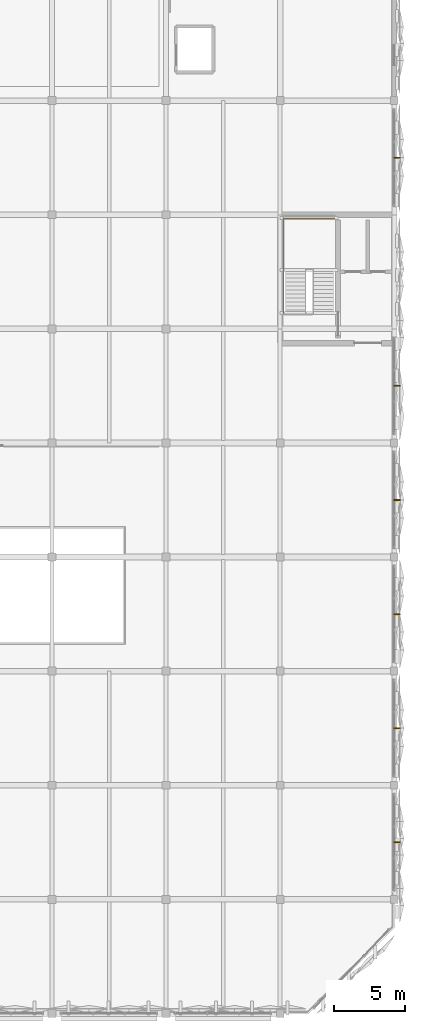
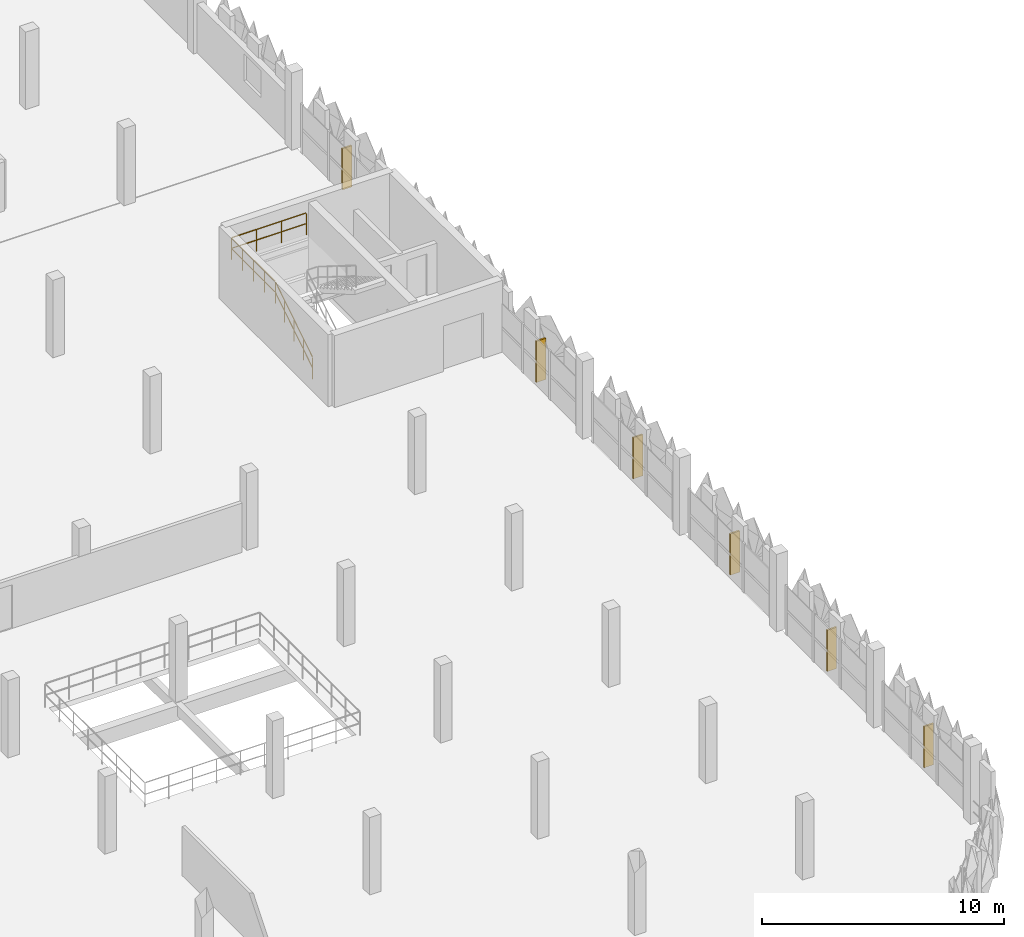
# One storey, part 79 of 83: 6 shading devices, 1 railing.
"""IFC4 building model written with IfcOpenShell, lengths in metres."""

import ifcopenshell
import ifcopenshell.guid

model = None  # the IFC model being written
_history = None  # IfcOwnerHistory: only IFC2X3 demands one
_inside = {}  # id of a spatial element -> (the spatial element, [elements in it])
_under = {}  # id of a project, library or spatial element -> (it, [spatial elements below it])
_declared = {}  # id of a project -> (the project, [libraries it declares])
_typed = {}  # id of a type object -> (the type object, [elements of that type])
_made_of = {}  # id of a material, layer set ... -> (it, [elements and type objects made of it])


def new_model(schema):
    """Start an empty IFC model of exactly this schema.

    Asked for "IFC4X3", IfcOpenShell would pick the latest addendum, in which some entities
    have other attributes; the version numbers below select the first issue.
    IFC2X3 requires an IfcOwnerHistory on every rooted entity: one is made here for all.
    """
    global model, _history
    if schema == "IFC4X3":
        model = ifcopenshell.file(schema_version=(4, 3, 0, 0))
    else:
        model = ifcopenshell.file(schema=schema)
    _inside.clear()
    _under.clear()
    _declared.clear()
    _typed.clear()
    _made_of.clear()
    _history = None
    if model.schema == "IFC2X3":
        org = make("IfcOrganization", Name="unknown")
        user = make(
            "IfcPersonAndOrganization",
            ThePerson=make("IfcPerson", FamilyName="unknown"),
            TheOrganization=org,
        )
        app = make(
            "IfcApplication",
            ApplicationDeveloper=org,
            Version="unknown",
            ApplicationFullName="unknown",
            ApplicationIdentifier="unknown",
        )
        _history = make(
            "IfcOwnerHistory",
            OwningUser=user,
            OwningApplication=app,
            ChangeAction="ADDED",
            CreationDate=0,
        )
    return model


def make(cls, **values):
    """One entity of the class cls with the attributes given. An attribute that is None is left unset."""
    return model.create_entity(
        cls, **{name: value for name, value in values.items() if value is not None}
    )


def rooted(cls, **values):
    """An entity with a GlobalId (a new one), such as an element, a storey or a relation."""
    return make(cls, GlobalId=ifcopenshell.guid.new(), OwnerHistory=_history, **values)


def si_unit(unit_type, name, prefix=None):
    """IfcSIUnit, for example si_unit("LENGTHUNIT", "METRE", prefix="MILLI")."""
    return make("IfcSIUnit", UnitType=unit_type, Prefix=prefix, Name=name)


def derived_unit(unit_type, elements):
    """IfcDerivedUnit: a product of units, each with its exponent."""
    return make(
        "IfcDerivedUnit",
        Elements=[
            make("IfcDerivedUnitElement", Unit=unit, Exponent=power)
            for unit, power in elements
        ],
        UnitType=unit_type,
    )


def assignment(units):
    """IfcUnitAssignment: the units of a project."""
    return None if units is None else make("IfcUnitAssignment", Units=units)


def point(xyz):
    """IfcCartesianPoint."""
    return None if xyz is None else make("IfcCartesianPoint", Coordinates=xyz)


def direction(xyz):
    """IfcDirection."""
    return None if xyz is None else make("IfcDirection", DirectionRatios=xyz)


def frame(location, z_axis=None, x_axis=None):
    """IfcAxis2Placement3D, a coordinate frame: its origin and axes. An axis left out is left unset."""
    return make(
        "IfcAxis2Placement3D",
        Location=point(location),
        Axis=direction(z_axis),
        RefDirection=direction(x_axis),
    )


def frame_2d(location, x_axis=None):
    """IfcAxis2Placement2D, a coordinate frame in the plane: its origin and x axis."""
    return make(
        "IfcAxis2Placement2D", Location=point(location), RefDirection=direction(x_axis)
    )


def origin():
    """The frame at (0, 0, 0) with its axes left unset."""
    return frame((0.0, 0.0, 0.0))


def origin_2d():
    """The frame at (0, 0) in the plane with its x axis left unset."""
    return frame_2d((0.0, 0.0))


def place(relative_to, where):
    """IfcLocalPlacement: puts the frame where relative to a parent placement (None: the world)."""
    return make(
        "IfcLocalPlacement", PlacementRelTo=relative_to, RelativePlacement=where
    )


def context(
    kind, dimensions, precision=None, world=None, true_north=None, identifier=None
):
    """IfcGeometricRepresentationContext, for example the 3D "Model" context."""
    return make(
        "IfcGeometricRepresentationContext",
        ContextIdentifier=identifier,
        ContextType=kind,
        CoordinateSpaceDimension=dimensions,
        Precision=precision,
        WorldCoordinateSystem=world,
        TrueNorth=true_north,
    )


def subcontext(parent, identifier, kind, view, scale=None):
    """IfcGeometricRepresentationSubContext, for example "Body" below "Model"."""
    return make(
        "IfcGeometricRepresentationSubContext",
        ContextIdentifier=identifier,
        ContextType=kind,
        ParentContext=parent,
        TargetScale=scale,
        TargetView=view,
    )


def project(units=None, contexts=None):
    """IfcProject with its units and contexts."""
    return rooted(
        "IfcProject",
        Name="project",
        RepresentationContexts=contexts,
        UnitsInContext=assignment(units),
    )


def spatial(cls, under=None, at=None, **own):
    """A site, building, storey or space (cls), placed at a placement, below another one or the project."""
    s = rooted(cls, ObjectPlacement=at, **own)
    if under is not None:
        _under.setdefault(under.id(), (under, []))[1].append(s)
    return s


def profile(cls, at=None, kind="AREA", **sizes):
    """A parametric profile (cls). Its sizes go by their IFC names, for example OverallWidth=200.0."""
    return make(cls, ProfileType=kind, Position=at, **sizes)


def rectangle(**sizes):
    """IfcRectangleProfileDef."""
    return profile("IfcRectangleProfileDef", **sizes)


def circle(**sizes):
    """IfcCircleProfileDef."""
    return profile("IfcCircleProfileDef", **sizes)


def extrude(swept, where, along, depth):
    """IfcExtrudedAreaSolid: the profile swept, set in the frame where, extruded along a direction by depth."""
    return make(
        "IfcExtrudedAreaSolid",
        SweptArea=swept,
        Position=where,
        ExtrudedDirection=direction(along),
        Depth=depth,
    )


def shape(context_of_items, identifier, shape_type, items):
    """IfcShapeRepresentation: the items that make up one representation, for example the "Body"."""
    return make(
        "IfcShapeRepresentation",
        ContextOfItems=context_of_items,
        RepresentationIdentifier=identifier,
        RepresentationType=shape_type,
        Items=items,
    )


def material(Name=None, Category=None):
    """IfcMaterial."""
    return make("IfcMaterial", Name=Name, Category=Category)


def material_profile(
    of_material, cross_section, Name=None, Category=None, Priority=None
):
    """IfcMaterialProfile: a cross section and its material."""
    return make(
        "IfcMaterialProfile",
        Name=Name,
        Material=of_material,
        Profile=cross_section,
        Priority=Priority,
        Category=Category,
    )


def profile_set(profiles, Name=None, composite=None):
    """IfcMaterialProfileSet."""
    return make(
        "IfcMaterialProfileSet",
        Name=Name,
        MaterialProfiles=profiles,
        CompositeProfile=composite,
    )


def made_of(thing, what):
    """Note that an element or type object is made of a material, layer set ...; save() writes the relation."""
    if what is not None:
        _made_of.setdefault(what.id(), (what, []))[1].append(thing)
    return thing


def type_object(cls, material=None, **own):
    """A type object (cls), such as IfcWallType, which elements share."""
    return made_of(rooted(cls, **own), material)


def element(
    cls,
    number,
    at=None,
    inside=None,
    cuts=None,
    type_object=None,
    material=None,
    context=None,
    identifier="Body",
    shape_type=None,
    held_by="IfcProductDefinitionShape",
    body=None,
    shapes=None,
    **own,
):
    """One element of the class cls, such as IfcWall. Its Tag is "e" and its number.

    at: its placement. inside: the storey or other place that contains it. cuts: it is an
    opening in that element (IfcRelVoidsElement). A single representation is given by context,
    identifier, shape_type and body (its items); several are given by shapes. held_by: the class
    of the entity that holds the representations. save() writes the other relations.
    """
    e = rooted(cls, Tag="e%d" % number, ObjectPlacement=at, **own)
    if body is not None:
        shapes = [shape(context, identifier, shape_type, body)]
    if shapes is not None:
        e.Representation = make(held_by, Representations=shapes)
    if inside is not None:
        _inside.setdefault(inside.id(), (inside, []))[1].append(e)
    if cuts is not None:
        rooted(
            "IfcRelVoidsElement", RelatingBuildingElement=cuts, RelatedOpeningElement=e
        )
    if type_object is not None:
        _typed.setdefault(type_object.id(), (type_object, []))[1].append(e)
    return made_of(e, material)


def aggregate(whole, parts):
    """IfcRelAggregates: a whole, such as a stair, and the parts it consists of."""
    return rooted("IfcRelAggregates", RelatingObject=whole, RelatedObjects=parts)


def save(model, path):
    """Write the relations noted so far, then the file.

    IfcRelAggregates (storeys below a building ...), IfcRelContainedInSpatialStructure (elements
    in a storey), IfcRelDefinesByType, IfcRelAssociatesMaterial and IfcRelDeclares: one each for
    every whole, place, type object, material and project.
    """
    for whole, parts in _under.values():
        aggregate(whole, parts)
    for where, things in _inside.values():
        rooted(
            "IfcRelContainedInSpatialStructure",
            RelatedElements=things,
            RelatingStructure=where,
        )
    for kind, things in _typed.values():
        rooted("IfcRelDefinesByType", RelatedObjects=things, RelatingType=kind)
    for what, things in _made_of.values():
        rooted("IfcRelAssociatesMaterial", RelatedObjects=things, RelatingMaterial=what)
    for by, libraries in _declared.values():
        rooted("IfcRelDeclares", RelatingContext=by, RelatedDefinitions=libraries)
    model.write(path)


model = new_model("IFC4")

# Units and contexts
model_context = context("Model", 3, precision=1e-05, world=origin(), true_north=direction((0.0, 1.0)))
body_context = subcontext(model_context, "Body", "Model", "MODEL_VIEW")
ifc_project = project(units=[si_unit("LENGTHUNIT", "METRE"), si_unit("AREAUNIT", "SQUARE_METRE"), si_unit("VOLUMEUNIT", "CUBIC_METRE"), si_unit("PLANEANGLEUNIT", "RADIAN"), si_unit("MASSUNIT", "GRAM", prefix="KILO"), si_unit("THERMODYNAMICTEMPERATUREUNIT", "KELVIN"), derived_unit("THERMALTRANSMITTANCEUNIT", [(si_unit("POWERUNIT", "WATT"), 1), (si_unit("AREAUNIT", "SQUARE_METRE"), -1), (si_unit("THERMODYNAMICTEMPERATUREUNIT", "KELVIN"), -1)])], contexts=[model_context])

# Site, building, storey
site_placement = place(None, origin())
site = spatial("IfcSite", under=ifc_project, at=site_placement, CompositionType="ELEMENT")
building_placement = place(site_placement, origin())
building = spatial("IfcBuilding", under=site, at=building_placement, Name="Haiyu Intermodal Mobility Hub", CompositionType="ELEMENT")
storey_placement = place(building_placement, frame((0.0, 0.0, 13.39990234375)))
storey = spatial("IfcBuildingStorey", under=building, at=storey_placement, Name="L03", CompositionType="ELEMENT", Elevation=13.39990234375)

# Railing
ifc_material_1 = material(Name="Steel Q355C", Category="steel")
railing_type = type_object("IfcRailingType", Name="RAL-GR03", PredefinedType="GUARDRAIL", material=ifc_material_1)
railing_placement = place(storey_placement, frame((202.25, 65.050048828125, 0.0)))
element("IfcRailing", 1, at=railing_placement, inside=storey, type_object=railing_type, Name="Stair Outer Guard STR-C9-L03", PredefinedType="GUARDRAIL", context=body_context, shape_type="SweptSolid", body=[
    extrude(circle(Radius=0.02392578125, at=origin_2d()), frame((0.0, 0.025390625, 1.112060546875), z_axis=(0.0, 0.844864482441, 0.534980379369), x_axis=(-1.0, 0.0, 0.0)), (0.0, 0.0, 1.0), 3.58544921875),
    extrude(circle(Radius=0.02392578125, at=origin_2d()), frame((0.0, 0.031494140625, 0.580078125), z_axis=(0.0, 0.844864482441, 0.534980379369), x_axis=(-1.0, 0.0, 0.0)), (0.0, 0.0, 1.0), 0.836669921875),
    extrude(circle(Radius=0.02392578125, at=origin_2d()), frame((0.0, 0.801513671875, 1.067626953125), z_axis=(0.0, 0.844864482441, 0.534980379369), x_axis=(-1.0, 0.0, 0.0)), (0.0, 0.0, 1.0), 0.836669921875),
    extrude(circle(Radius=0.02392578125, at=origin_2d()), frame((0.0, 1.571533203125, 1.55517578125), z_axis=(0.0, 0.844864482441, 0.534980379369), x_axis=(-1.0, 0.0, 0.0)), (0.0, 0.0, 1.0), 0.836669921875),
    extrude(circle(Radius=0.02392578125, at=origin_2d()), frame((0.0, 2.34130859375, 2.042724609375), z_axis=(0.0, 0.844864482441, 0.534980379369), x_axis=(-1.0, 0.0, 0.0)), (0.0, 0.0, 1.0), 0.836669921875),
    extrude(circle(Radius=0.02392578125, at=origin_2d()), frame((0.0, 3.10986328125, 3.04638671875), z_axis=(0.0, 1.0, 0.0), x_axis=(-1.0, 0.0, 0.0)), (0.0, 0.0, 1.0), 3.570068359375),
    extrude(circle(Radius=0.02392578125, at=origin_2d()), frame((0.0, 3.1171875, 2.51025390625), z_axis=(0.0, 1.0, 0.0), x_axis=(-1.0, 0.0, 0.0)), (0.0, 0.0, 1.0), 0.8330078125),
    extrude(circle(Radius=0.02392578125, at=origin_2d()), frame((0.0, 4.024658203125, 2.51025390625), z_axis=(0.0, 1.0, 0.0), x_axis=(-1.0, 0.0, 0.0)), (0.0, 0.0, 1.0), 0.8330078125),
    extrude(circle(Radius=0.02392578125, at=origin_2d()), frame((0.0, 4.93212890625, 2.51025390625), z_axis=(0.0, 1.0, 0.0), x_axis=(-1.0, 0.0, 0.0)), (0.0, 0.0, 1.0), 0.8330078125),
    extrude(circle(Radius=0.02392578125, at=origin_2d()), frame((0.0, 5.83984375, 2.51025390625), z_axis=(0.0, 1.0, 0.0), x_axis=(-1.0, 0.0, 0.0)), (0.0, 0.0, 1.0), 0.8330078125),
    extrude(circle(Radius=0.02392578125, at=origin_2d()), frame((0.030029296875, 6.7099609375, 3.04638671875), z_axis=(1.0, 0.0, 0.0), x_axis=(0.0, 1.0, 0.0)), (0.0, 0.0, 1.0), 3.52001953125),
    extrude(circle(Radius=0.02392578125, at=origin_2d()), frame((0.037353515625, 6.7099609375, 2.51025390625), z_axis=(1.0, 0.0, 0.0), x_axis=(0.0, 1.0, 0.0)), (0.0, 0.0, 1.0), 1.11865234375),
    extrude(circle(Radius=0.02392578125, at=origin_2d()), frame((1.230712890625, 6.7099609375, 2.51025390625), z_axis=(1.0, 0.0, 0.0), x_axis=(0.0, 1.0, 0.0)), (0.0, 0.0, 1.0), 1.11865234375),
    extrude(circle(Radius=0.02392578125, at=origin_2d()), frame((2.424072265625, 6.7099609375, 2.51025390625), z_axis=(1.0, 0.0, 0.0), x_axis=(0.0, 1.0, 0.0)), (0.0, 0.0, 1.0), 1.11865234375),
    extrude(circle(Radius=0.02099609375, at=origin_2d()), origin(), (0.0, 0.0, 1.0), 1.06396484375),
    extrude(circle(Radius=0.02099609375, at=origin_2d()), frame((0.0, 0.77001953125, 0.487548828125)), (0.0, 0.0, 1.0), 1.06396484375),
    extrude(circle(Radius=0.02099609375, at=origin_2d()), frame((0.0, 1.5400390625, 0.97509765625)), (0.0, 0.0, 1.0), 1.06396484375),
    extrude(circle(Radius=0.02099609375, at=origin_2d()), frame((0.0, 2.309814453125, 1.462646484375)), (0.0, 0.0, 1.0), 1.06396484375),
    extrude(circle(Radius=0.02099609375, at=origin_2d()), frame((0.0, 3.079833984375, 1.9501953125)), (0.0, 0.0, 1.0), 1.06396484375),
    extrude(circle(Radius=0.02099609375, at=origin_2d()), frame((0.0, 3.9873046875, 1.9501953125)), (0.0, 0.0, 1.0), 1.06396484375),
    extrude(circle(Radius=0.02099609375, at=origin_2d()), frame((0.0, 4.89501953125, 1.9501953125)), (0.0, 0.0, 1.0), 1.06396484375),
    extrude(circle(Radius=0.02099609375, at=origin_2d()), frame((0.0, 5.802490234375, 1.9501953125)), (0.0, 0.0, 1.0), 1.06396484375),
    extrude(circle(Radius=0.02099609375, at=origin_2d()), frame((0.0, 6.7099609375, 1.9501953125)), (0.0, 0.0, 1.0), 1.06396484375),
    extrude(circle(Radius=0.02099609375, at=origin_2d()), frame((1.193359375, 6.7099609375, 1.9501953125)), (0.0, 0.0, 1.0), 1.06396484375),
    extrude(circle(Radius=0.02099609375, at=origin_2d()), frame((2.38671875, 6.7099609375, 1.9501953125)), (0.0, 0.0, 1.0), 1.06396484375),
    extrude(circle(Radius=0.02099609375, at=origin_2d()), frame((3.580078125, 6.7099609375, 1.9501953125)), (0.0, 0.0, 1.0), 1.06396484375),
])

# Shading devices
ifc_material_2 = material(Name="Anodised aluminium 6063-T6", Category="aluminium")
ifc_material_profile = material_profile(ifc_material_2, rectangle(XDim=0.070068359375, YDim=0.550048828125, at=origin_2d()), Name="FIN70x550")
ifc_profile_set = profile_set([ifc_material_profile], Name="Anodised aluminium 6063-T6")
shading_device_type = type_object("IfcShadingDeviceType", Name="SHD-SD02", PredefinedType="AWNING", material=ifc_profile_set)
for number, where, z_axis, x_axis, name in (
    (2, (210.199951171875, 28.0, 0.199951171875), (0.0, 0.0, 1.0), (1.0, 0.0, 0.0), "SHD-V5E-049"),
    (3, (210.199951171875, 36.0, 0.199951171875), (0.0, 0.0, 1.0), (1.0, 0.0, 0.0), "SHD-V5E-050"),
    (4, (210.199951171875, 44.0, 0.199951171875), (0.0, 0.0, 1.0), (1.0, 0.0, 0.0), "SHD-V5E-051"),
    (5, (210.199951171875, 52.0, 0.199951171875), (0.0, 0.0, 1.0), (1.0, 0.0, 0.0), "SHD-V5E-052"),
    (6, (210.199951171875, 60.0, 0.199951171875), (0.0, 0.0, 1.0), (1.0, 0.0, 0.0), "SHD-V5E-053"),
    (7, (210.199951171875, 76.0, 0.199951171875), (0.0, 0.0, 1.0), (1.0, 0.0, 0.0), "SHD-V5E-054"),
):
    element("IfcShadingDevice", number, at=place(storey_placement, frame(where, z_axis=z_axis, x_axis=x_axis)), inside=storey, type_object=shading_device_type, Name=name, PredefinedType="AWNING", context=body_context, shape_type="SweptSolid", body=[
        extrude(rectangle(XDim=0.449951171875, YDim=0.080078125, at=origin_2d()), origin(), (0.0, 0.0, 1.0), 2.080078125),
    ])

save(model, "model.ifc")
